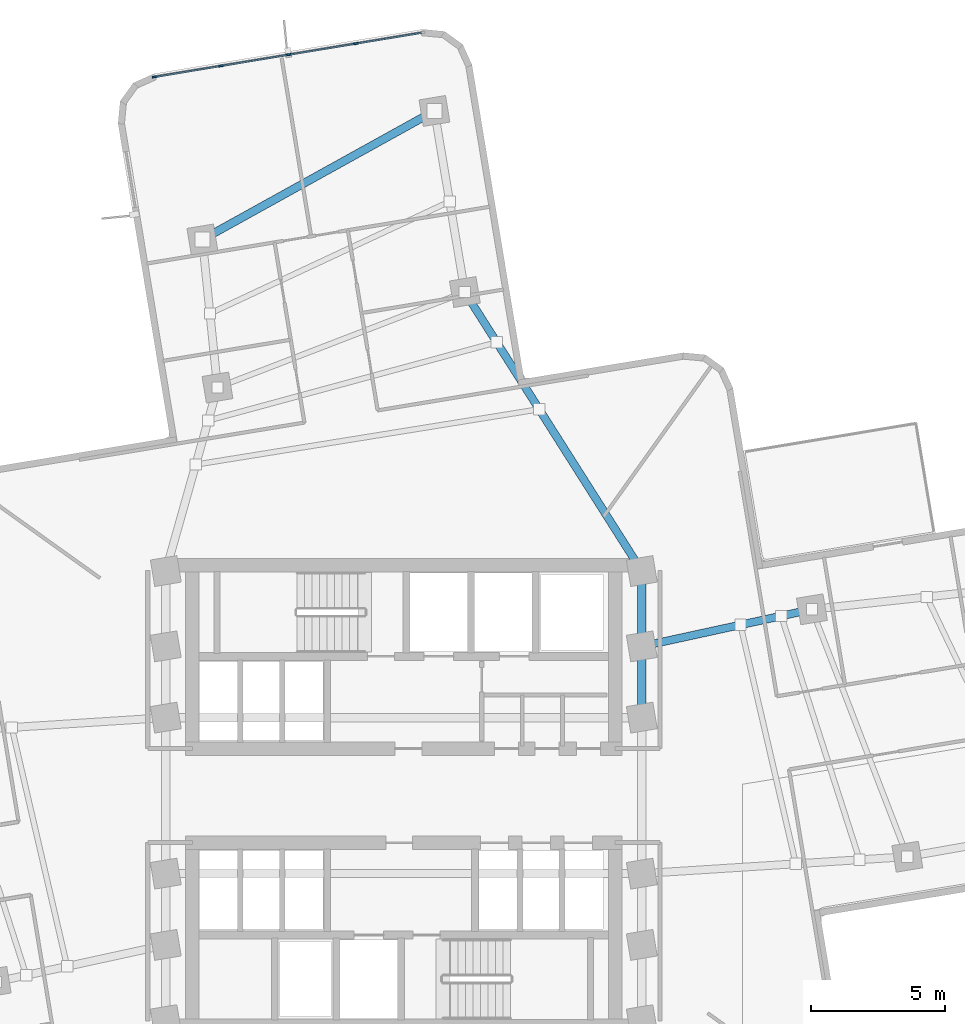
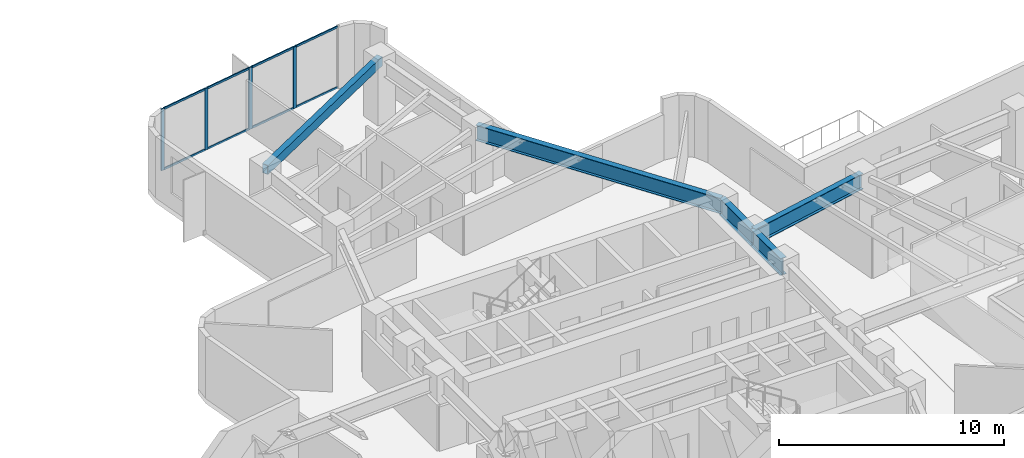
# One storey, part 4 of 13: 12 members, 5 beams, 1 element without a shape of its own.
"""IFC4 building model written with IfcOpenShell, lengths in metres."""

from ifc_helpers import new_model, si_unit, direction, frame, origin, origin_2d, place, context, subcontext, project, spatial, rectangle, hollow_rectangle, i_section, extrude, material, layer, layer_set, material_profile, profile_set, type_object, element, aggregate, save


model = new_model("IFC4")

# Units and contexts
model_context = context("Model", 3, precision=1e-05, world=origin(), true_north=direction((0.0, 1.0)))
body_context = subcontext(model_context, "Body", "Model", "MODEL_VIEW")
ifc_project = project(units=[si_unit("LENGTHUNIT", "METRE"), si_unit("AREAUNIT", "SQUARE_METRE"), si_unit("VOLUMEUNIT", "CUBIC_METRE"), si_unit("PLANEANGLEUNIT", "RADIAN"), si_unit("MASSUNIT", "GRAM", prefix="KILO")], contexts=[model_context])

# Site, building, storey
site_placement = place(None, origin())
site = spatial("IfcSite", under=ifc_project, at=site_placement, CompositionType="ELEMENT")
building_placement = place(site_placement, origin())
building = spatial("IfcBuilding", under=site, at=building_placement, Name="Solmarez Civic Tower", CompositionType="ELEMENT")
storey_placement = place(building_placement, frame((0.0, 0.0, 96.47998046875)))
storey = spatial("IfcBuildingStorey", under=building, at=storey_placement, Name="L25", CompositionType="ELEMENT", Elevation=96.47998046875)

# Beams
ifc_material_1 = material(Name="Steel S355", Category="steel")
ifc_material_profile_1 = material_profile(ifc_material_1, i_section(OverallWidth=0.2919921875, OverallDepth=0.845947265625, WebThickness=0.015380859375, FlangeThickness=0.0244140625, at=origin_2d()), Name="W33X141")
ifc_profile_set_1 = profile_set([ifc_material_profile_1], Name="Steel S355")
beam_type_1 = type_object("IfcBeamType", Name="BM-PR-W33X141", PredefinedType="BEAM", material=ifc_profile_set_1)
beam_1_placement = place(storey_placement, frame((8.85009765625, 5.550048828125, 2.9169921875), z_axis=(0.977113347202, 0.212719314402, 0.0), x_axis=(-0.212719314402, 0.977113347202, 0.0)))
element("IfcBeam", 1, at=beam_1_placement, inside=storey, type_object=beam_type_1, Name="L25 Primary Floor Beam BM-L25-EA-R1B", PredefinedType="BEAM", context=body_context, shape_type="SweptSolid", body=[
    extrude(i_section(OverallWidth=0.2919921875, OverallDepth=0.845947265625, WebThickness=0.015380859375, FlangeThickness=0.0244140625, at=origin_2d()), origin(), (0.0, 0.0, 1.0), 6.47314453125),
])
beam_2_placement = place(storey_placement, frame((8.85009765625, 8.35009765625, 2.9169921875), z_axis=(-0.535568299099, 0.84449191648, 0.0), x_axis=(-0.84449191648, -0.535568299099, 0.0)))
element("IfcBeam", 2, at=beam_2_placement, inside=storey, type_object=beam_type_1, Name="L25 Primary Floor Beam BM-L25-NA-R1A", PredefinedType="BEAM", context=body_context, shape_type="SweptSolid", body=[
    extrude(i_section(OverallWidth=0.2919921875, OverallDepth=0.845947265625, WebThickness=0.015380859375, FlangeThickness=0.0244140625, at=origin_2d()), origin(), (0.0, 0.0, 1.0), 12.284423828125),
])
ifc_material_profile_2 = material_profile(ifc_material_1, i_section(OverallWidth=0.306884765625, OverallDepth=0.927001953125, WebThickness=0.019287109375, FlangeThickness=0.031982421875, at=origin_2d()), Name="W36X194")
ifc_profile_set_2 = profile_set([ifc_material_profile_2], Name="Steel S355")
beam_type_2 = type_object("IfcBeamType", Name="BM-PR-W36X194", PredefinedType="BEAM", material=ifc_profile_set_2)
beam_3_placement = place(storey_placement, frame((8.85009765625, 2.89990234375, 2.8759765625), z_axis=(0.0, 1.0, 0.0), x_axis=(-1.0, 0.0, 0.0)))
element("IfcBeam", 3, at=beam_3_placement, inside=storey, type_object=beam_type_2, Name="L25 Primary Floor Beam BM-L25-HC7-HC8", PredefinedType="BEAM", context=body_context, shape_type="SweptSolid", body=[
    extrude(i_section(OverallWidth=0.306884765625, OverallDepth=0.927001953125, WebThickness=0.019287109375, FlangeThickness=0.031982421875, at=origin_2d()), origin(), (0.0, 0.0, 1.0), 2.650146484375),
])
beam_4_placement = place(storey_placement, frame((8.85009765625, 5.550048828125, 2.8759765625), z_axis=(0.0, 1.0, 0.0), x_axis=(-1.0, 0.0, 0.0)))
element("IfcBeam", 4, at=beam_4_placement, inside=storey, type_object=beam_type_2, Name="L25 Primary Floor Beam BM-L25-HC8-HC11", PredefinedType="BEAM", context=body_context, shape_type="SweptSolid", body=[
    extrude(i_section(OverallWidth=0.306884765625, OverallDepth=0.927001953125, WebThickness=0.019287109375, FlangeThickness=0.031982421875, at=origin_2d()), origin(), (0.0, 0.0, 1.0), 2.800048828125),
])
ifc_material_profile_3 = material_profile(ifc_material_1, hollow_rectangle(XDim=0.300048828125, YDim=0.5, WallThickness=0.02001953125, at=origin_2d()), Name="HSS500X300X20")
ifc_profile_set_3 = profile_set([ifc_material_profile_3], Name="Steel S355")
beam_type_3 = type_object("IfcBeamType", Name="BM-SP-HSS500X300", PredefinedType="SPANDREL", material=ifc_profile_set_3)
beam_5_placement = place(storey_placement, frame((1.138916015625, 25.45703125, 3.090087890625), z_axis=(-0.874811531682, -0.484463398035, 0.0), x_axis=(0.484463398035, -0.874811531682, 0.0)))
element("IfcBeam", 5, at=beam_5_placement, inside=storey, type_object=beam_type_3, Name="L25 Perimeter Spandrel Beam BM-L25-NA-T2", PredefinedType="SPANDREL", context=body_context, shape_type="SweptSolid", body=[
    extrude(hollow_rectangle(XDim=0.300048828125, YDim=0.5, WallThickness=0.02001953125, at=origin_2d()), origin(), (0.0, 0.0, 1.0), 9.862548828125),
])

# Curtain wall, members
ifc_material_2 = material(Name="Bronze Anodised Aluminium EN AW-6063 T6", Category="aluminium")
ifc_layer = layer(ifc_material_2, 0.155029296875)
ifc_layer_set = layer_set([ifc_layer], Name="Bronze Anodised Aluminium EN AW-6063 T6")
curtain_wall_type = type_object("IfcCurtainWallType", Name="CW-SYS-6", PredefinedType="NOTDEFINED", material=ifc_layer_set)
curtain_wall_placement = place(storey_placement, origin())
curtain_wall = element("IfcCurtainWall", 6, at=curtain_wall_placement, inside=storey, type_object=curtain_wall_type, Name="L25 Stick-Built Curtain Wall 2", PredefinedType="NOTDEFINED")
ifc_material_profile_4 = material_profile(ifc_material_2, rectangle(XDim=0.070068359375, YDim=0.179931640625, at=origin_2d()), Name="CWM-70X180")
ifc_profile_set_4 = profile_set([ifc_material_profile_4], Name="Bronze Anodised Aluminium EN AW-6063 T6")
member_type_1 = type_object("IfcMemberType", Name="CWM-TYPE-2", PredefinedType="MULLION", material=ifc_profile_set_4)
member_1_placement = place(storey_placement, frame((-9.263427734375, 26.725830078125, 0.0), z_axis=(0.0, 0.0, 1.0), x_axis=(-0.163313377789, 0.986574244867, 0.0)))
member_1 = element("IfcMember", 7, at=member_1_placement, type_object=member_type_1, Name="CWS6 mullion 1", PredefinedType="MULLION", context=body_context, shape_type="SweptSolid", body=[
    extrude(rectangle(XDim=0.070068359375, YDim=0.179931640625, at=origin_2d()), origin(), (0.0, 0.0, 1.0), 3.340087890625),
])
member_2_placement = place(storey_placement, frame((-6.79248046875, 27.134765625, 0.0), z_axis=(0.0, 0.0, 1.0), x_axis=(-0.163313377789, 0.986574244867, 0.0)))
member_2 = element("IfcMember", 8, at=member_2_placement, type_object=member_type_1, Name="CWS6 mullion 2", PredefinedType="MULLION", context=body_context, shape_type="SweptSolid", body=[
    extrude(rectangle(XDim=0.070068359375, YDim=0.179931640625, at=origin_2d()), origin(), (0.0, 0.0, 1.0), 3.340087890625),
])
member_3_placement = place(storey_placement, frame((-4.287109375, 27.549560546875, 0.0), z_axis=(0.0, 0.0, 1.0), x_axis=(-0.163313377789, 0.986574244867, 0.0)))
member_3 = element("IfcMember", 9, at=member_3_placement, type_object=member_type_1, Name="CWS6 mullion 3", PredefinedType="MULLION", context=body_context, shape_type="SweptSolid", body=[
    extrude(rectangle(XDim=0.070068359375, YDim=0.179931640625, at=origin_2d()), origin(), (0.0, 0.0, 1.0), 3.340087890625),
])
member_4_placement = place(storey_placement, frame((-1.781494140625, 27.96435546875, 0.0), z_axis=(0.0, 0.0, 1.0), x_axis=(-0.163313377789, 0.986574244867, 0.0)))
member_4 = element("IfcMember", 10, at=member_4_placement, type_object=member_type_1, Name="CWS6 mullion 4", PredefinedType="MULLION", context=body_context, shape_type="SweptSolid", body=[
    extrude(rectangle(XDim=0.070068359375, YDim=0.179931640625, at=origin_2d()), origin(), (0.0, 0.0, 1.0), 3.340087890625),
])
ifc_material_profile_5 = material_profile(ifc_material_2, rectangle(XDim=0.06005859375, YDim=0.110107421875, at=origin_2d()), Name="CWT-60X110")
ifc_profile_set_5 = profile_set([ifc_material_profile_5], Name="Bronze Anodised Aluminium EN AW-6063 T6")
member_type_2 = type_object("IfcMemberType", Name="CWT-TYPE-3", PredefinedType="USERDEFINED", material=ifc_profile_set_5)
member_5_placement = place(storey_placement, frame((-9.22900390625, 26.7314453125, 0.030029296875), z_axis=(0.986566834216, 0.163358139148, 0.0), x_axis=(-0.163358139148, 0.986566834216, 0.0)))
member_5 = element("IfcMember", 11, at=member_5_placement, type_object=member_type_2, Name="CWS6 transom 1.1", ObjectType="TRANSOM", PredefinedType="USERDEFINED", context=body_context, shape_type="SweptSolid", body=[
    extrude(rectangle(XDim=0.06005859375, YDim=0.110107421875, at=origin_2d()), origin(), (0.0, 0.0, 1.0), 2.4345703125),
])
member_6_placement = place(storey_placement, frame((-9.22900390625, 26.7314453125, 3.31005859375), z_axis=(0.986566834216, 0.163358139148, 0.0), x_axis=(-0.163358139148, 0.986566834216, 0.0)))
member_6 = element("IfcMember", 12, at=member_6_placement, type_object=member_type_2, Name="CWS6 transom 1.2", ObjectType="TRANSOM", PredefinedType="USERDEFINED", context=body_context, shape_type="SweptSolid", body=[
    extrude(rectangle(XDim=0.06005859375, YDim=0.110107421875, at=origin_2d()), origin(), (0.0, 0.0, 1.0), 2.4345703125),
])
member_7_placement = place(storey_placement, frame((-6.758056640625, 27.140380859375, 0.030029296875), z_axis=(0.986575001347, 0.163308807838, 0.0), x_axis=(-0.163308807838, 0.986575001347, 0.0)))
member_7 = element("IfcMember", 13, at=member_7_placement, type_object=member_type_2, Name="CWS6 transom 2.1", ObjectType="TRANSOM", PredefinedType="USERDEFINED", context=body_context, shape_type="SweptSolid", body=[
    extrude(rectangle(XDim=0.06005859375, YDim=0.110107421875, at=origin_2d()), origin(), (0.0, 0.0, 1.0), 2.4697265625),
])
member_8_placement = place(storey_placement, frame((-6.758056640625, 27.140380859375, 3.31005859375), z_axis=(0.986575001347, 0.163308807838, 0.0), x_axis=(-0.163308807838, 0.986575001347, 0.0)))
member_8 = element("IfcMember", 14, at=member_8_placement, type_object=member_type_2, Name="CWS6 transom 2.2", ObjectType="TRANSOM", PredefinedType="USERDEFINED", context=body_context, shape_type="SweptSolid", body=[
    extrude(rectangle(XDim=0.06005859375, YDim=0.110107421875, at=origin_2d()), origin(), (0.0, 0.0, 1.0), 2.4697265625),
])
member_9_placement = place(storey_placement, frame((-4.25244140625, 27.55517578125, 0.030029296875), z_axis=(0.986575001347, 0.163308807838, 0.0), x_axis=(-0.163308807838, 0.986575001347, 0.0)))
member_9 = element("IfcMember", 15, at=member_9_placement, type_object=member_type_2, Name="CWS6 transom 3.1", ObjectType="TRANSOM", PredefinedType="USERDEFINED", context=body_context, shape_type="SweptSolid", body=[
    extrude(rectangle(XDim=0.06005859375, YDim=0.110107421875, at=origin_2d()), origin(), (0.0, 0.0, 1.0), 2.4697265625),
])
member_10_placement = place(storey_placement, frame((-4.25244140625, 27.55517578125, 3.31005859375), z_axis=(0.986575001347, 0.163308807838, 0.0), x_axis=(-0.163308807838, 0.986575001347, 0.0)))
member_10 = element("IfcMember", 16, at=member_10_placement, type_object=member_type_2, Name="CWS6 transom 3.2", ObjectType="TRANSOM", PredefinedType="USERDEFINED", context=body_context, shape_type="SweptSolid", body=[
    extrude(rectangle(XDim=0.06005859375, YDim=0.110107421875, at=origin_2d()), origin(), (0.0, 0.0, 1.0), 2.4697265625),
])
member_11_placement = place(storey_placement, frame((-1.7470703125, 27.969970703125, 0.030029296875), z_axis=(0.986569509912, 0.163341979027, 0.0), x_axis=(-0.163341979027, 0.986569509912, 0.0)))
member_11 = element("IfcMember", 17, at=member_11_placement, type_object=member_type_2, Name="CWS6 transom 4.1", ObjectType="TRANSOM", PredefinedType="USERDEFINED", context=body_context, shape_type="SweptSolid", body=[
    extrude(rectangle(XDim=0.06005859375, YDim=0.110107421875, at=origin_2d()), origin(), (0.0, 0.0, 1.0), 2.434814453125),
])
member_12_placement = place(storey_placement, frame((-1.7470703125, 27.969970703125, 3.31005859375), z_axis=(0.986569509912, 0.163341979027, 0.0), x_axis=(-0.163341979027, 0.986569509912, 0.0)))
member_12 = element("IfcMember", 18, at=member_12_placement, type_object=member_type_2, Name="CWS6 transom 4.2", ObjectType="TRANSOM", PredefinedType="USERDEFINED", context=body_context, shape_type="SweptSolid", body=[
    extrude(rectangle(XDim=0.06005859375, YDim=0.110107421875, at=origin_2d()), origin(), (0.0, 0.0, 1.0), 2.434814453125),
])
aggregate(curtain_wall, [member_1, member_2, member_3, member_4, member_5, member_6, member_7, member_8, member_9, member_10, member_11, member_12])

save(model, "model.ifc")
